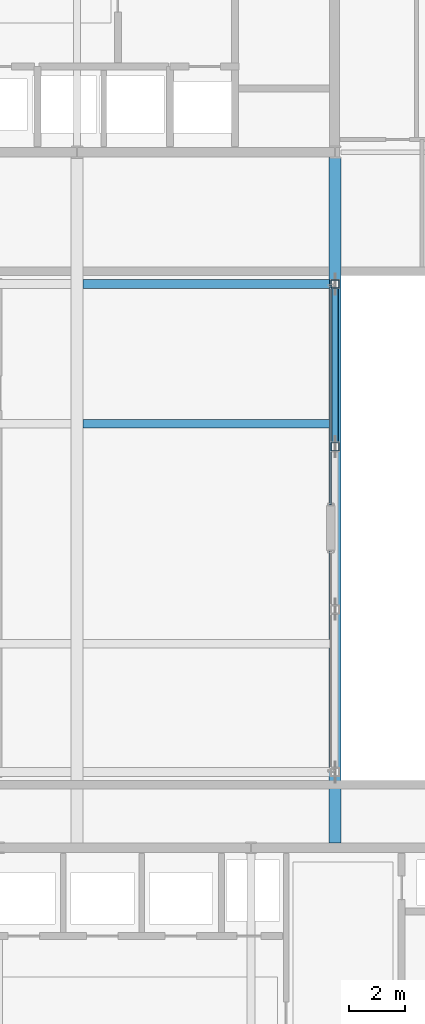
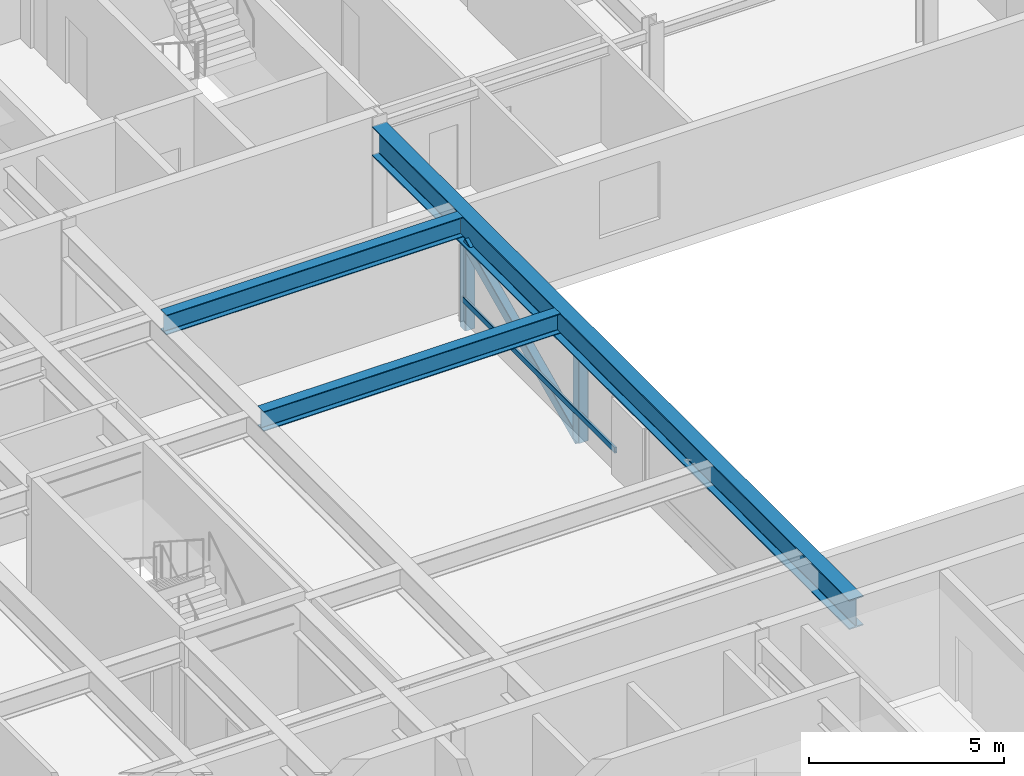
# One storey, part 11 of 35: 4 members, 3 beams, 1 element without a shape of its own.
"""IFC4 building model written with IfcOpenShell, lengths in metres."""

from ifc_helpers import new_model, si_unit, direction, frame, origin, origin_2d, place, context, subcontext, project, spatial, hollow_rectangle, i_section, extrude, material, layer, layer_set, material_profile, profile_set, type_object, element, aggregate, save


model = new_model("IFC4")

# Units and contexts
model_context = context("Model", 3, precision=1e-05, world=origin(), true_north=direction((0.0, 1.0)))
body_context = subcontext(model_context, "Body", "Model", "MODEL_VIEW")
ifc_project = project(units=[si_unit("LENGTHUNIT", "METRE"), si_unit("AREAUNIT", "SQUARE_METRE"), si_unit("VOLUMEUNIT", "CUBIC_METRE"), si_unit("PLANEANGLEUNIT", "RADIAN"), si_unit("MASSUNIT", "GRAM", prefix="KILO")], contexts=[model_context])

# Site, building, storey
site_placement = place(None, origin())
site = spatial("IfcSite", under=ifc_project, at=site_placement, CompositionType="ELEMENT")
building_placement = place(site_placement, origin())
building = spatial("IfcBuilding", under=site, at=building_placement, Name="Korimba Cascade Residences", CompositionType="ELEMENT")
storey_placement = place(building_placement, frame((0.0, 0.0, 150.10009765625)))
storey = spatial("IfcBuildingStorey", under=building, at=storey_placement, Name="L43", CompositionType="ELEMENT", Elevation=150.10009765625)

# Beams
ifc_material_1 = material(Name="Steel S355", Category="steel")
ifc_material_profile_1 = material_profile(ifc_material_1, i_section(OverallWidth=0.30712890625, OverallDepth=0.6201171875, WebThickness=0.01416015625, FlangeThickness=0.023681640625, FilletRadius=0.0166015625, at=origin_2d()), Name="Steel S355")
ifc_profile_set_1 = profile_set([ifc_material_profile_1], Name="Steel S355")
beam_type_1 = type_object("IfcBeamType", Name="BM-STL-UB610A", PredefinedType="BEAM", material=ifc_profile_set_1)
for number, where, z_axis, x_axis, name in (
    (1, (103.10888671875, 45.52490234375, 2.999755859375), (1.0, 0.0, 0.0), (0.0, 1.0, 0.0), "L43 Mid-Bridge Cross Beam 45.5"),
    (2, (103.10888671875, 50.5, 2.999755859375), (1.0, 0.0, 0.0), (0.0, 1.0, 0.0), "L43 Mid-Bridge Cross Beam 50.5"),
):
    element("IfcBeam", number, at=place(storey_placement, frame(where, z_axis=z_axis, x_axis=x_axis)), inside=storey, type_object=beam_type_1, Name=name, PredefinedType="BEAM", context=body_context, shape_type="SweptSolid", body=[
        extrude(i_section(OverallWidth=0.30712890625, OverallDepth=0.6201171875, WebThickness=0.01416015625, FlangeThickness=0.023681640625, FilletRadius=0.0166015625, at=origin_2d()), origin(), (0.0, 0.0, 1.0), 8.7822265625),
    ])
ifc_material_2 = material(Name="Steel S460", Category="steel")
ifc_material_profile_2 = material_profile(ifc_material_2, i_section(OverallWidth=0.42041015625, OverallDepth=0.9208984375, WebThickness=0.021484375, FlangeThickness=0.03662109375, FilletRadius=0.02392578125, at=origin_2d()), Name="Steel S460")
ifc_profile_set_2 = profile_set([ifc_material_profile_2], Name="Steel S460")
beam_type_2 = type_object("IfcBeamType", Name="BM-STL-UB914A", PredefinedType="BEAM", material=ifc_profile_set_2)
beam_placement = place(storey_placement, frame((112.10009765625, 30.574951171875, 2.849365234375), z_axis=(0.0, 1.0, 0.0), x_axis=(-1.0, 0.0, 0.0)))
element("IfcBeam", 3, at=beam_placement, inside=storey, type_object=beam_type_2, Name="L43 Rigid Mid-Bridge Truss Chord 6", PredefinedType="BEAM", context=body_context, shape_type="SweptSolid", body=[
    extrude(i_section(OverallWidth=0.42041015625, OverallDepth=0.9208984375, WebThickness=0.021484375, FlangeThickness=0.03662109375, FilletRadius=0.02392578125, at=origin_2d()), origin(), (0.0, 0.0, 1.0), 24.449951171875),
])

# Curtain wall, member
ifc_material_3 = material(Name="Anodised Aluminium Curtain Wall Framing", Category="aluminium")
ifc_layer = layer(ifc_material_3, 0.179931640625)
ifc_layer_set = layer_set([ifc_layer], Name="Anodised Aluminium Curtain Wall Framing")
curtain_wall_type = type_object("IfcCurtainWallType", Name="CW-OBS-SYS4", PredefinedType="NOTDEFINED", material=ifc_layer_set)
curtain_wall_placement = place(storey_placement, origin())
curtain_wall = element("IfcCurtainWall", 4, at=curtain_wall_placement, inside=storey, type_object=curtain_wall_type, Name="L43 Curtain Wall CW-L43-BRG-E2", PredefinedType="NOTDEFINED")
ifc_material_4 = material(Name="Anodised Aluminium Transom", Category="aluminium")
ifc_material_profile_3 = material_profile(ifc_material_4, hollow_rectangle(XDim=0.070068359375, YDim=0.179931640625, WallThickness=0.0048828125, InnerFilletRadius=0.0048828125, OuterFilletRadius=0.010009765625, at=origin_2d()), Name="Anodised Aluminium Transom")
ifc_profile_set_3 = profile_set([ifc_material_profile_3], Name="Anodised Aluminium Transom")
member_type_1 = type_object("IfcMemberType", Name="CWM-TRN-150", PredefinedType="USERDEFINED", material=ifc_profile_set_3)
member_1_placement = place(storey_placement, frame((111.949951171875, 42.639892578125, 0.666259765625), z_axis=(0.0, 1.0, 0.0), x_axis=(-1.0, 0.0, 0.0)))
member_1 = element("IfcMember", 5, at=member_1_placement, type_object=member_type_1, Name="CW-L43-BRG-E2 Transom 1", ObjectType="TRANSOM", PredefinedType="USERDEFINED", context=body_context, shape_type="SweptSolid", body=[
    extrude(hollow_rectangle(XDim=0.070068359375, YDim=0.179931640625, WallThickness=0.0048828125, InnerFilletRadius=0.0048828125, OuterFilletRadius=0.010009765625, at=origin_2d()), origin(), (0.0, 0.0, 1.0), 7.820068359375),
])
aggregate(curtain_wall, [member_1])

# Members
ifc_material_profile_4 = material_profile(ifc_material_2, hollow_rectangle(XDim=0.25, YDim=0.35009765625, WallThickness=0.012451171875, InnerFilletRadius=0.012451171875, OuterFilletRadius=0.02490234375, at=origin_2d()), Name="Steel S460")
ifc_profile_set_4 = profile_set([ifc_material_profile_4], Name="Steel S460")
member_type_2 = type_object("IfcMemberType", Name="MEM-BRG-SHS350", PredefinedType="BRACE", material=ifc_profile_set_4)
member_2_placement = place(storey_placement, frame((112.10009765625, 44.699951171875, -0.2900390625), z_axis=(0.0, 0.907839673774, 0.419317453396), x_axis=(-1.0, 0.0, 0.0)))
element("IfcMember", 6, at=member_2_placement, inside=storey, type_object=member_type_2, Name="L43 Mid-Bridge Warren Diagonal E3", PredefinedType="BRACE", context=body_context, shape_type="SweptSolid", body=[
    extrude(hollow_rectangle(XDim=0.25, YDim=0.35009765625, WallThickness=0.012451171875, InnerFilletRadius=0.012451171875, OuterFilletRadius=0.02490234375, at=origin_2d()), origin(), (0.0, 0.0, 1.0), 6.388916015625),
])
ifc_material_profile_5 = material_profile(ifc_material_2, hollow_rectangle(XDim=0.300048828125, YDim=0.300048828125, WallThickness=0.012451171875, InnerFilletRadius=0.012451171875, OuterFilletRadius=0.02490234375, at=origin_2d()), Name="Steel S460")
ifc_profile_set_5 = profile_set([ifc_material_profile_5], Name="Steel S460")
member_type_3 = type_object("IfcMemberType", Name="MEM-BRG-STR300", PredefinedType="STRUT", material=ifc_profile_set_5)
for number, where, z_axis, x_axis, name in (
    (7, (112.10009765625, 44.699951171875, -0.2900390625), (0.0, 0.0, 1.0), (1.0, 0.0, 0.0), "L43 Mid-Bridge Warren Web Post E3"),
    (8, (112.10009765625, 50.5, -0.2900390625), (0.0, 0.0, 1.0), (1.0, 0.0, 0.0), "L43 Mid-Bridge Warren Web Post E4"),
):
    element("IfcMember", number, at=place(storey_placement, frame(where, z_axis=z_axis, x_axis=x_axis)), inside=storey, type_object=member_type_3, Name=name, PredefinedType="STRUT", context=body_context, shape_type="SweptSolid", body=[
        extrude(hollow_rectangle(XDim=0.300048828125, YDim=0.300048828125, WallThickness=0.012451171875, InnerFilletRadius=0.012451171875, OuterFilletRadius=0.02490234375, at=origin_2d()), origin(), (0.0, 0.0, 1.0), 2.678955078125),
    ])

save(model, "model.ifc")
